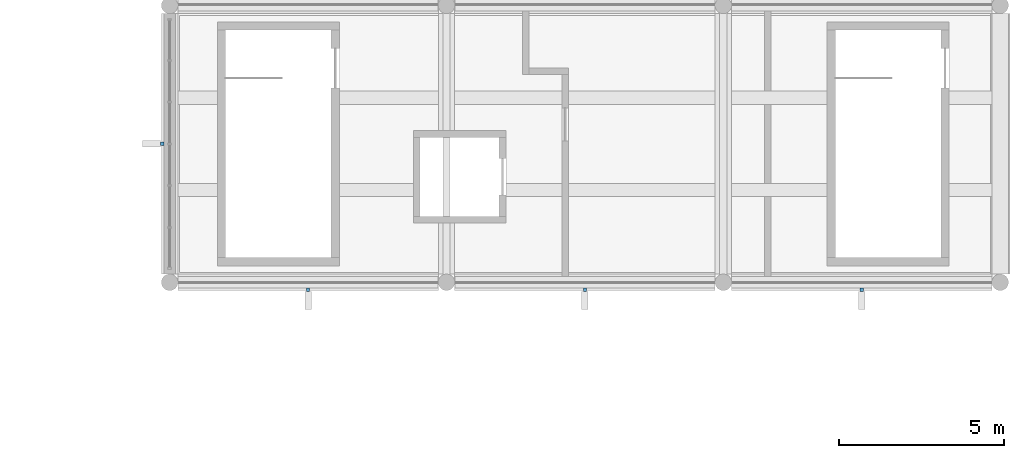
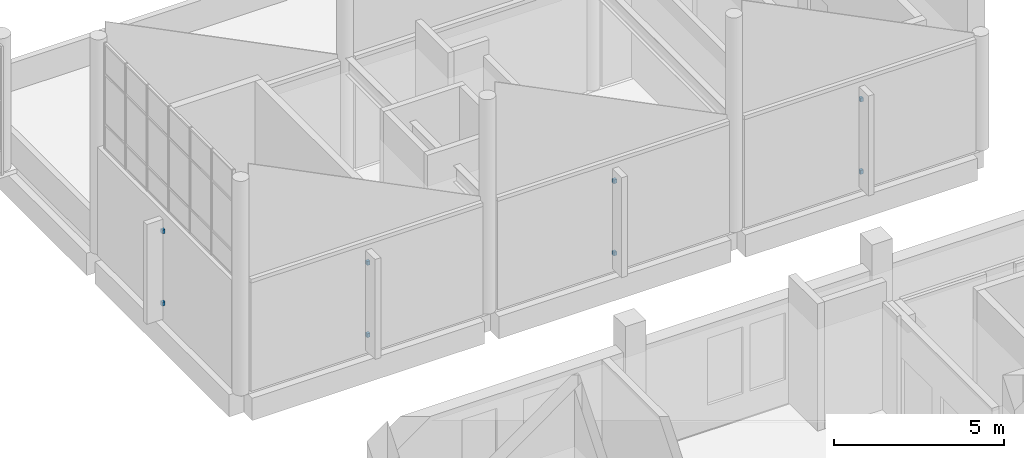
# One storey, part 85 of 119: 8 discrete accessories.
"""IFC4 building model written with IfcOpenShell, lengths in metres."""

from ifc_helpers import new_model, si_unit, direction, frame, origin, origin_2d, place, context, subcontext, project, spatial, rectangle, extrude, material, layer, layer_set, type_object, element, save


model = new_model("IFC4")

# Units and contexts
model_context = context("Model", 3, precision=1e-05, world=origin(), true_north=direction((0.0, 1.0)))
body_context = subcontext(model_context, "Body", "Model", "MODEL_VIEW")
ifc_project = project(units=[si_unit("LENGTHUNIT", "METRE"), si_unit("AREAUNIT", "SQUARE_METRE"), si_unit("VOLUMEUNIT", "CUBIC_METRE"), si_unit("PLANEANGLEUNIT", "RADIAN"), si_unit("MASSUNIT", "GRAM", prefix="KILO")], contexts=[model_context])

# Site, building, storey
site_placement = place(None, origin())
site = spatial("IfcSite", under=ifc_project, at=site_placement, CompositionType="ELEMENT")
building_placement = place(site_placement, origin())
building = spatial("IfcBuilding", under=site, at=building_placement, Name="Larchfold Concert Hall", CompositionType="ELEMENT")
storey_placement = place(building_placement, frame((0.0, 0.0, 4.800048828125)))
storey = spatial("IfcBuildingStorey", under=building, at=storey_placement, Name="L01", CompositionType="ELEMENT", Elevation=4.800048828125)

# Discrete accessories
ifc_material = material(Name="Steel S355 galvanised bracket", Category="steel")
ifc_layer = layer(ifc_material, 0.10009765625)
ifc_layer_set = layer_set([ifc_layer], Name="Steel S355 galvanised bracket")
discrete_accessory_type = type_object("IfcDiscreteAccessoryType", Name="Fin support bracket", PredefinedType="BRACKET", material=ifc_layer_set)
for number, where, z_axis, x_axis, name in (
    (1, (75.974853515625, 114.0, 0.6298828125), (0.0, 0.0, 1.0), (-1.0, 0.0, 0.0), "Fin bracket FN-L01-047-1"),
    (2, (75.974853515625, 114.0, 3.22998046875), (0.0, 0.0, 1.0), (-1.0, 0.0, 0.0), "Fin bracket FN-L01-047-2"),
    (3, (80.39990234375, 109.574951171875, 0.6298828125), (0.0, 0.0, 1.0), (0.0, -1.0, 0.0), "Fin bracket FN-L01-048-1"),
    (4, (80.39990234375, 109.574951171875, 3.22998046875), (0.0, 0.0, 1.0), (0.0, -1.0, 0.0), "Fin bracket FN-L01-048-2"),
    (5, (88.800048828125, 109.574951171875, 0.6298828125), (0.0, 0.0, 1.0), (0.0, -1.0, 0.0), "Fin bracket FN-L01-049-1"),
    (6, (88.800048828125, 109.574951171875, 3.22998046875), (0.0, 0.0, 1.0), (0.0, -1.0, 0.0), "Fin bracket FN-L01-049-2"),
    (7, (97.199951171875, 109.574951171875, 0.6298828125), (0.0, 0.0, 1.0), (0.0, -1.0, 0.0), "Fin bracket FN-L01-050-1"),
    (8, (97.199951171875, 109.574951171875, 3.22998046875), (0.0, 0.0, 1.0), (0.0, -1.0, 0.0), "Fin bracket FN-L01-050-2"),
):
    element("IfcDiscreteAccessory", number, at=place(storey_placement, frame(where, z_axis=z_axis, x_axis=x_axis)), inside=storey, type_object=discrete_accessory_type, Name=name, PredefinedType="BRACKET", context=body_context, shape_type="SweptSolid", body=[
        extrude(rectangle(XDim=0.10009765625, YDim=0.10009765625, at=origin_2d()), origin(), (0.0, 0.0, 1.0), 0.139892578125),
    ])

save(model, "model.ifc")
